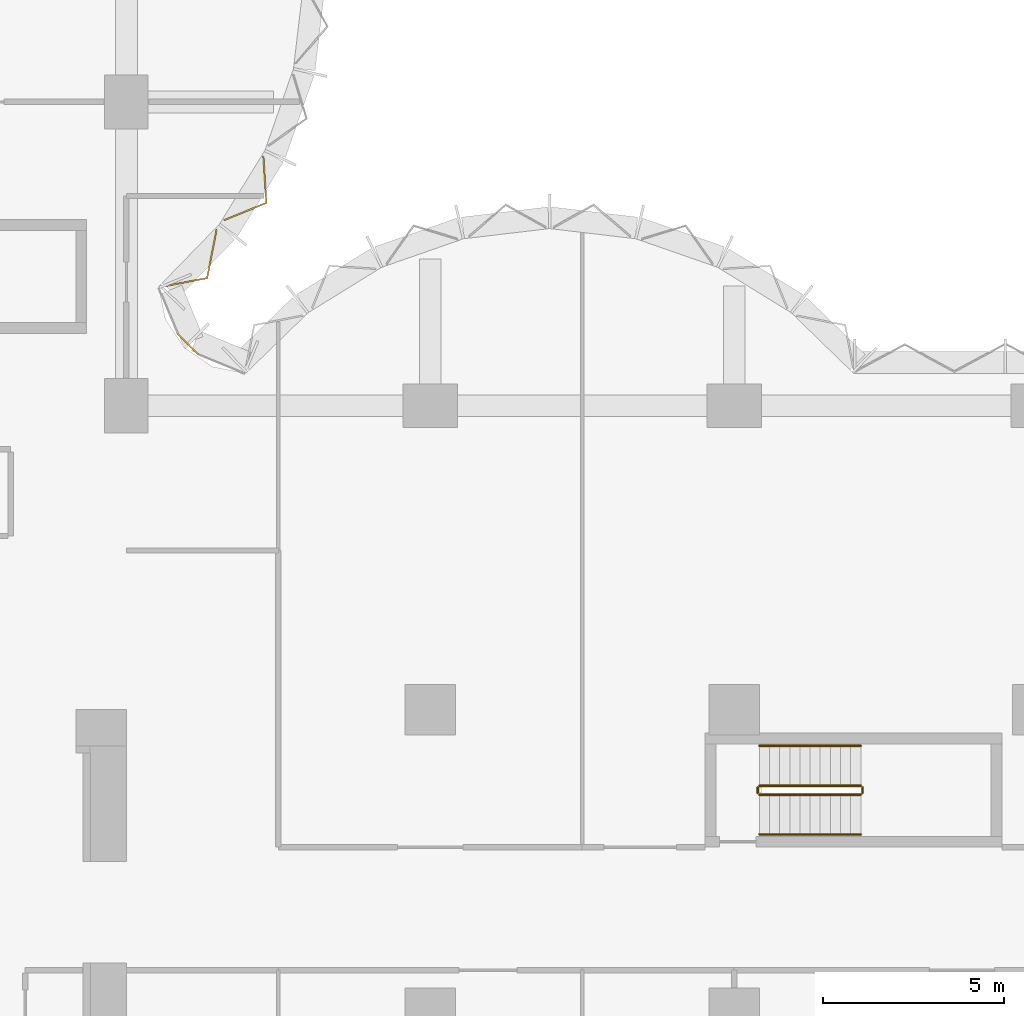
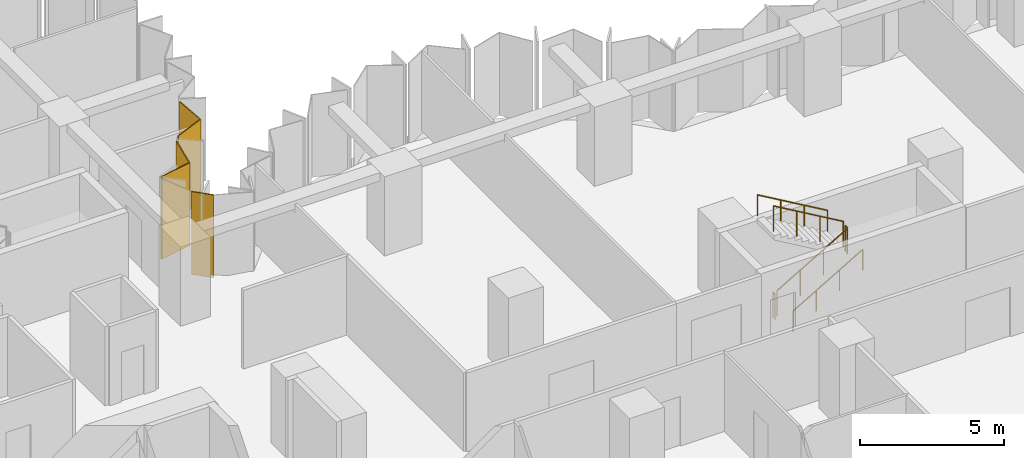
# One storey, part 14 of 15: 6 railings, 3 coverings, 2 elements without a shape of their own.
"""IFC4 building model written with IfcOpenShell, lengths in metres."""

from ifc_helpers import new_model, si_unit, direction, frame, origin, origin_2d, place, context, subcontext, project, spatial, polyline, circle, outline, extrude, material, layer, layer_set, type_object, element, aggregate, save


model = new_model("IFC4")

# Units and contexts
model_context = context("Model", 3, precision=1e-05, world=origin(), true_north=direction((0.0, 1.0)))
body_context = subcontext(model_context, "Body", "Model", "MODEL_VIEW")
ifc_project = project(units=[si_unit("LENGTHUNIT", "METRE"), si_unit("AREAUNIT", "SQUARE_METRE"), si_unit("VOLUMEUNIT", "CUBIC_METRE"), si_unit("PLANEANGLEUNIT", "RADIAN"), si_unit("MASSUNIT", "GRAM", prefix="KILO")], contexts=[model_context])

# Site, building, storey
site_placement = place(None, origin())
site = spatial("IfcSite", under=ifc_project, at=site_placement, CompositionType="ELEMENT")
building_placement = place(site_placement, origin())
building = spatial("IfcBuilding", under=site, at=building_placement, Name="Brevane Broadcast Tower", CompositionType="ELEMENT")
storey_placement = place(building_placement, frame((0.0, 0.0, 47.300048828125)))
storey = spatial("IfcBuildingStorey", under=building, at=storey_placement, Name="L09", CompositionType="ELEMENT", Elevation=47.300048828125)

# Railings
ifc_material_1 = material(Name="Steel S355", Category="steel")
railing_type_1 = type_object("IfcRailingType", Name="Exit stair guard", PredefinedType="GUARDRAIL", material=ifc_material_1)
railing_1_placement = place(storey_placement, frame((42.699951171875, 14.449951171875, 0.16357421875)))
element("IfcRailing", 1, at=railing_1_placement, inside=storey, type_object=railing_type_1, Name="L09 ST-4 stair guard 1", PredefinedType="GUARDRAIL", context=body_context, shape_type="SweptSolid", body=[
    extrude(circle(Radius=0.02392578125, at=origin_2d()), frame((0.0, 0.0, 1.076171875), z_axis=(0.863360870873, 0.0, 0.504586966384), x_axis=(0.0, 1.0, 0.0)), (0.0, 0.0, 1.0), 3.2431640625),
    extrude(circle(Radius=0.02099609375, at=origin_2d()), origin(), (0.0, 0.0, 1.0), 1.052001953125),
    extrude(circle(Radius=0.02099609375, at=origin_2d()), frame((0.933349609375, 0.0, 0.54541015625)), (0.0, 0.0, 1.0), 1.052001953125),
    extrude(circle(Radius=0.02099609375, at=origin_2d()), frame((1.86669921875, 0.0, 1.091064453125)), (0.0, 0.0, 1.0), 1.052001953125),
    extrude(circle(Radius=0.02099609375, at=origin_2d()), frame((2.800048828125, 0.0, 1.636474609375)), (0.0, 0.0, 1.0), 1.052001953125),
])
railing_2_placement = place(storey_placement, frame((45.550048828125, 14.5, 1.800048828125)))
element("IfcRailing", 2, at=railing_2_placement, inside=storey, type_object=railing_type_1, Name="L09 ST-4 stair guard 2", PredefinedType="GUARDRAIL", context=body_context, shape_type="SweptSolid", body=[
    extrude(circle(Radius=0.02392578125, at=origin_2d()), frame((0.0, 0.0, 1.076171875), z_axis=(0.0, 1.0, 0.0), x_axis=(-1.0, 0.0, 0.0)), (0.0, 0.0, 1.0), 0.14990234375),
    extrude(circle(Radius=0.02099609375, at=origin_2d()), origin(), (0.0, 0.0, 1.0), 1.052001953125),
    extrude(circle(Radius=0.02099609375, at=origin_2d()), frame((0.0, 0.14990234375, 0.0)), (0.0, 0.0, 1.0), 1.052001953125),
])
railing_3_placement = place(storey_placement, frame((45.5, 14.699951171875, 1.963623046875)))
element("IfcRailing", 3, at=railing_3_placement, inside=storey, type_object=railing_type_1, Name="L09 ST-4 stair guard 3", PredefinedType="GUARDRAIL", context=body_context, shape_type="SweptSolid", body=[
    extrude(circle(Radius=0.02392578125, at=origin_2d()), frame((0.0, 0.0, 1.076171875), z_axis=(-0.863393664356, 0.0, 0.504530851732), x_axis=(0.0, -1.0, 0.0)), (0.0, 0.0, 1.0), 3.2431640625),
    extrude(circle(Radius=0.02099609375, at=origin_2d()), origin(), (0.0, 0.0, 1.0), 1.052001953125),
    extrude(circle(Radius=0.02099609375, at=origin_2d()), frame((-0.933349609375, 0.0, 0.54541015625)), (0.0, 0.0, 1.0), 1.052001953125),
    extrude(circle(Radius=0.02099609375, at=origin_2d()), frame((-1.86669921875, 0.0, 1.0908203125)), (0.0, 0.0, 1.0), 1.052001953125),
    extrude(circle(Radius=0.02099609375, at=origin_2d()), frame((-2.800048828125, 0.0, 1.63623046875)), (0.0, 0.0, 1.0), 1.052001953125),
])
railing_4_placement = place(storey_placement, frame((42.64990234375, 14.5, 0.0)))
element("IfcRailing", 4, at=railing_4_placement, inside=storey, type_object=railing_type_1, Name="L09 ST-4 stair guard 4", PredefinedType="GUARDRAIL", context=body_context, shape_type="SweptSolid", body=[
    extrude(circle(Radius=0.02392578125, at=origin_2d()), frame((0.0, 0.0, 1.076171875), z_axis=(0.0, 1.0, 0.0), x_axis=(-1.0, 0.0, 0.0)), (0.0, 0.0, 1.0), 0.14990234375),
    extrude(circle(Radius=0.02099609375, at=origin_2d()), origin(), (0.0, 0.0, 1.0), 1.052001953125),
    extrude(circle(Radius=0.02099609375, at=origin_2d()), frame((0.0, 0.14990234375, 0.0)), (0.0, 0.0, 1.0), 1.052001953125),
])
railing_type_2 = type_object("IfcRailingType", Name="Exit stair handrail", PredefinedType="HANDRAIL", material=ifc_material_1)
railing_5_placement = place(storey_placement, frame((42.699951171875, 13.35009765625, 0.16357421875)))
element("IfcRailing", 5, at=railing_5_placement, inside=storey, type_object=railing_type_2, Name="L09 ST-4 stair handrail 1", PredefinedType="HANDRAIL", context=body_context, shape_type="SweptSolid", body=[
    extrude(circle(Radius=0.02392578125, at=origin_2d()), frame((0.0, 0.0, 0.8759765625), z_axis=(0.863360870873, 0.0, 0.504586966384), x_axis=(0.0, 1.0, 0.0)), (0.0, 0.0, 1.0), 3.2431640625),
    extrude(circle(Radius=0.02099609375, at=origin_2d()), origin(), (0.0, 0.0, 1.0), 0.851806640625),
    extrude(circle(Radius=0.02099609375, at=origin_2d()), frame((0.933349609375, 0.0, 0.54541015625)), (0.0, 0.0, 1.0), 0.851806640625),
    extrude(circle(Radius=0.02099609375, at=origin_2d()), frame((1.86669921875, 0.0, 1.091064453125)), (0.0, 0.0, 1.0), 0.851806640625),
    extrude(circle(Radius=0.02099609375, at=origin_2d()), frame((2.800048828125, 0.0, 1.636474609375)), (0.0, 0.0, 1.0), 0.851806640625),
])
railing_6_placement = place(storey_placement, frame((45.5, 15.800048828125, 1.963623046875)))
element("IfcRailing", 6, at=railing_6_placement, inside=storey, type_object=railing_type_2, Name="L09 ST-4 stair handrail 2", PredefinedType="HANDRAIL", context=body_context, shape_type="SweptSolid", body=[
    extrude(circle(Radius=0.02392578125, at=origin_2d()), frame((0.0, 0.0, 0.8759765625), z_axis=(-0.863393664356, 0.0, 0.504530851732), x_axis=(0.0, -1.0, 0.0)), (0.0, 0.0, 1.0), 3.2431640625),
    extrude(circle(Radius=0.02099609375, at=origin_2d()), origin(), (0.0, 0.0, 1.0), 0.851806640625),
    extrude(circle(Radius=0.02099609375, at=origin_2d()), frame((-0.933349609375, 0.0, 0.54541015625)), (0.0, 0.0, 1.0), 0.851806640625),
    extrude(circle(Radius=0.02099609375, at=origin_2d()), frame((-1.86669921875, 0.0, 1.0908203125)), (0.0, 0.0, 1.0), 0.851806640625),
    extrude(circle(Radius=0.02099609375, at=origin_2d()), frame((-2.800048828125, 0.0, 1.63623046875)), (0.0, 0.0, 1.0), 0.851806640625),
])

# Curtain wall, coverings
ifc_material_2 = material(Name="Aluminium 6063-T6 bronze anodised", Category="aluminium")
curtain_wall_type = type_object("IfcCurtainWallType", Name="CW-1 curtain wall", PredefinedType="NOTDEFINED", material=ifc_material_2)
curtain_wall_1_placement = place(storey_placement, origin())
curtain_wall_1 = element("IfcCurtainWall", 7, at=curtain_wall_1_placement, inside=storey, type_object=curtain_wall_type, Name="CW-1 typical tilted unit L09 north bow", PredefinedType="NOTDEFINED")
ifc_material_3 = material(Name="Back-painted bronze glass shadow-box", Category="glass")
ifc_layer = layer(ifc_material_3, 0.0400390625)
ifc_layer_set = layer_set([ifc_layer], Name="Shadow-box panel 40")
covering_type = type_object("IfcCoveringType", Name="Shadow-box panel 40", PredefinedType="CLADDING", material=ifc_layer_set)
covering_1_placement = place(storey_placement, frame((0.0, 0.0, -0.150146484375)))
covering_1 = element("IfcCovering", 8, at=covering_1_placement, type_object=covering_type, Name="Shadow-box panel", PredefinedType="CLADDING", context=body_context, shape_type="SweptSolid", body=[
    extrude(outline(polyline([(26.14404296875, 28.506103515625), (26.17919921875, 28.471923828125), (27.447265625, 28.7138671875), (27.71142578125, 30.0615234375), (27.67626953125, 30.089111328125), (27.4130859375, 28.748046875), (26.14404296875, 28.506103515625)])), origin(), (0.0, 0.0, 1.0), 3.5),
])
covering_2_placement = place(storey_placement, frame((0.0, 0.0, -0.150146484375)))
covering_2 = element("IfcCovering", 9, at=covering_2_placement, type_object=covering_type, Name="Shadow-box panel", PredefinedType="CLADDING", context=body_context, shape_type="SweptSolid", body=[
    extrude(outline(polyline([(27.8759765625, 30.343017578125), (27.912109375, 30.314697265625), (29.089111328125, 30.7958984375), (29.006591796875, 32.08935546875), (28.96533203125, 32.10888671875), (29.04736328125, 30.822265625), (27.8759765625, 30.343017578125)])), origin(), (0.0, 0.0, 1.0), 3.5),
])
aggregate(curtain_wall_1, [covering_1, covering_2])

# Curtain wall, covering
curtain_wall_2_placement = place(storey_placement, origin())
curtain_wall_2 = element("IfcCurtainWall", 10, at=curtain_wall_2_placement, inside=storey, type_object=curtain_wall_type, Name="CW-1 typical tilted unit L09 inner corner", PredefinedType="NOTDEFINED")
covering_3_placement = place(storey_placement, frame((0.0, 0.0, -0.150146484375)))
covering_3 = element("IfcCovering", 11, at=covering_3_placement, type_object=covering_type, Name="Closure panel", PredefinedType="CLADDING", context=body_context, shape_type="SweptSolid", body=[
    extrude(outline(polyline([(27.17138671875, 26.60498046875), (27.2021484375, 26.635498046875), (26.635498046875, 27.2021484375), (26.60498046875, 27.17138671875), (27.17138671875, 26.60498046875)])), origin(), (0.0, 0.0, 1.0), 3.5),
])
aggregate(curtain_wall_2, [covering_3])

save(model, "model.ifc")
